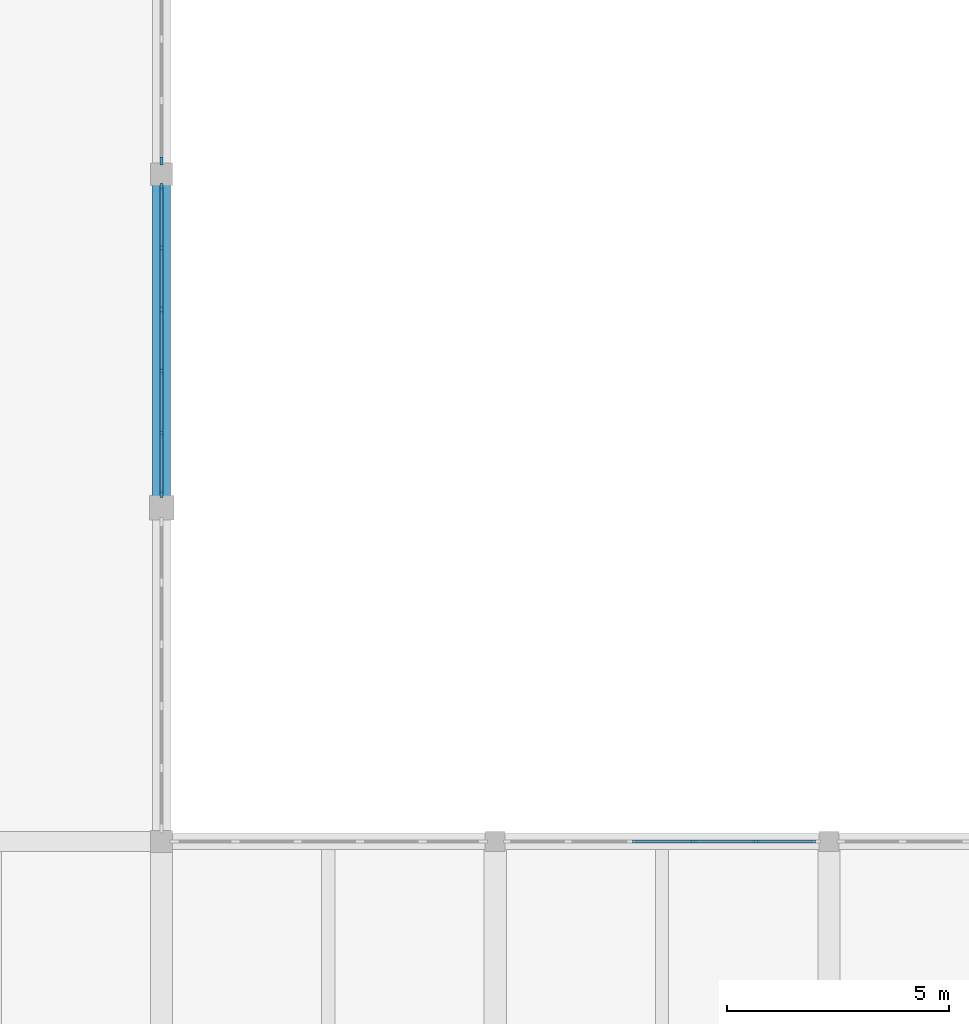
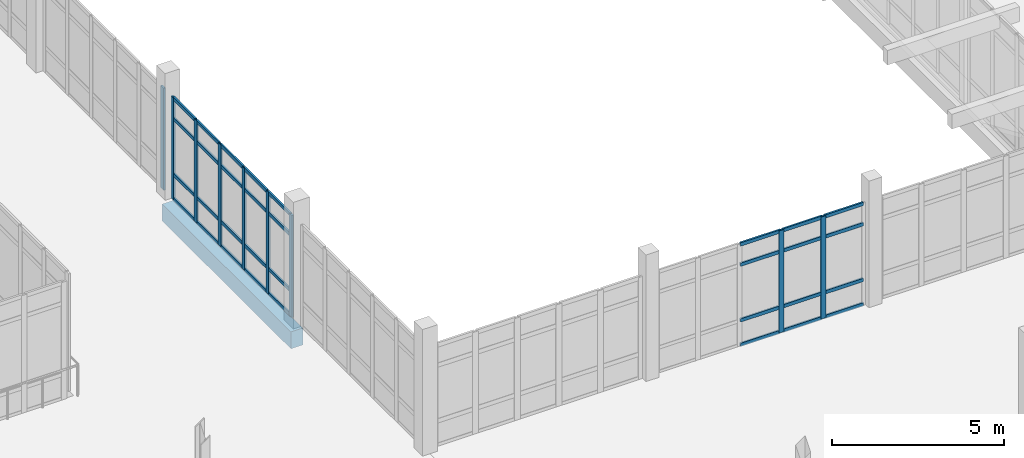
# One storey, part 40 of 128: 41 members, 1 beam, 3 elements without a shape of their own.
"""IFC4 building model written with IfcOpenShell, lengths in metres."""

from ifc_helpers import new_model, si_unit, direction, frame, origin, origin_2d, place, context, subcontext, project, spatial, rectangle, extrude, material, layer, layer_set, material_profile, profile_set, type_object, element, aggregate, save


model = new_model("IFC4")

# Units and contexts
model_context = context("Model", 3, precision=1e-05, world=origin(), true_north=direction((0.0, 1.0)))
body_context = subcontext(model_context, "Body", "Model", "MODEL_VIEW")
ifc_project = project(units=[si_unit("LENGTHUNIT", "METRE"), si_unit("AREAUNIT", "SQUARE_METRE"), si_unit("VOLUMEUNIT", "CUBIC_METRE"), si_unit("PLANEANGLEUNIT", "RADIAN"), si_unit("MASSUNIT", "GRAM", prefix="KILO")], contexts=[model_context])

# Site, building, storey
site_placement = place(None, origin())
site = spatial("IfcSite", under=ifc_project, at=site_placement, CompositionType="ELEMENT")
building_placement = place(site_placement, origin())
building = spatial("IfcBuilding", under=site, at=building_placement, Name="Dalvernix Boulevard General Hospital", CompositionType="ELEMENT")
storey_placement = place(building_placement, frame((0.0, 0.0, 4.800048828125)))
storey = spatial("IfcBuildingStorey", under=building, at=storey_placement, Name="L01", CompositionType="ELEMENT", Elevation=4.800048828125)

# Beam
ifc_material_1 = material(Name="Concrete C35/45", Category="concrete")
ifc_material_profile_1 = material_profile(ifc_material_1, rectangle(XDim=0.39990234375, YDim=0.60009765625, at=origin_2d()), Name="RCB 400x600")
ifc_profile_set_1 = profile_set([ifc_material_profile_1], Name="Concrete C35/45")
beam_type = type_object("IfcBeamType", Name="BM-SB-02-E", PredefinedType="SPANDREL", material=ifc_profile_set_1)
beam_placement = place(storey_placement, frame((112.5, 39.0, -0.60009765625), z_axis=(0.0, 1.0, 0.0), x_axis=(-1.0, 0.0, 0.0)))
element("IfcBeam", 1, at=beam_placement, inside=storey, type_object=beam_type, Name="L01 N-S girder 16:F-G", PredefinedType="SPANDREL", context=body_context, shape_type="SweptSolid", body=[
    extrude(rectangle(XDim=0.39990234375, YDim=0.60009765625, at=origin_2d()), origin(), (0.0, 0.0, 1.0), 7.5),
])

# Curtain wall, members
ifc_material_2 = material(Name="Thermally broken aluminium and solar-control glass curtain wall", Category="aluminium")
ifc_layer_1 = layer(ifc_material_2, 0.159912109375)
ifc_layer_set_1 = layer_set([ifc_layer_1], Name="Thermally broken aluminium and solar-control glass curtain wall (CW-CW-A-70x36)")
curtain_wall_type_1 = type_object("IfcCurtainWallType", Name="CW-CW-A-70x36", PredefinedType="USERDEFINED", material=ifc_layer_set_1)
curtain_wall_1_placement = place(storey_placement, origin())
curtain_wall_1 = element("IfcCurtainWall", 2, at=curtain_wall_1_placement, inside=storey, type_object=curtain_wall_type_1, Name="L01 curtain wall CW-A-70x36 15-5", ObjectType="GLAZED FACADE", PredefinedType="USERDEFINED")
ifc_material_3 = material(Name="Aluminium EN AW-6060", Category="aluminium")
ifc_material_profile_2 = material_profile(ifc_material_3, rectangle(XDim=0.06005859375, YDim=0.159912109375, at=origin_2d()), Name="ALU MULL 60x160")
ifc_profile_set_2 = profile_set([ifc_material_profile_2], Name="Aluminium EN AW-6060")
member_type_1 = type_object("IfcMemberType", Name="MEM-CW-M1", PredefinedType="MULLION", material=ifc_profile_set_2)
member_1_placement = place(storey_placement, frame((112.5, 46.2099609375, 0.0), z_axis=(0.0, 0.0, 1.0), x_axis=(1.0, 0.0, 0.0)))
member_1 = element("IfcMember", 3, at=member_1_placement, type_object=member_type_1, Name="CW-A-70x36 mullion 1", PredefinedType="MULLION", context=body_context, shape_type="SweptSolid", body=[
    extrude(rectangle(XDim=0.06005859375, YDim=0.159912109375, at=origin_2d()), origin(), (0.0, 0.0, 1.0), 3.6298828125),
])
member_2_placement = place(storey_placement, frame((112.5, 44.84912109375, 0.0), z_axis=(0.0, 0.0, 1.0), x_axis=(1.0, 0.0, 0.0)))
member_2 = element("IfcMember", 4, at=member_2_placement, type_object=member_type_1, Name="CW-A-70x36 mullion 2", PredefinedType="MULLION", context=body_context, shape_type="SweptSolid", body=[
    extrude(rectangle(XDim=0.06005859375, YDim=0.159912109375, at=origin_2d()), origin(), (0.0, 0.0, 1.0), 3.6298828125),
])
member_3_placement = place(storey_placement, frame((112.5, 43.4580078125, 0.0), z_axis=(0.0, 0.0, 1.0), x_axis=(1.0, 0.0, 0.0)))
member_3 = element("IfcMember", 5, at=member_3_placement, type_object=member_type_1, Name="CW-A-70x36 mullion 3", PredefinedType="MULLION", context=body_context, shape_type="SweptSolid", body=[
    extrude(rectangle(XDim=0.06005859375, YDim=0.159912109375, at=origin_2d()), origin(), (0.0, 0.0, 1.0), 3.6298828125),
])
member_4_placement = place(storey_placement, frame((112.5, 42.06689453125, 0.0), z_axis=(0.0, 0.0, 1.0), x_axis=(1.0, 0.0, 0.0)))
member_4 = element("IfcMember", 6, at=member_4_placement, type_object=member_type_1, Name="CW-A-70x36 mullion 4", PredefinedType="MULLION", context=body_context, shape_type="SweptSolid", body=[
    extrude(rectangle(XDim=0.06005859375, YDim=0.159912109375, at=origin_2d()), origin(), (0.0, 0.0, 1.0), 3.6298828125),
])
member_5_placement = place(storey_placement, frame((112.5, 40.676025390625, 0.0), z_axis=(0.0, 0.0, 1.0), x_axis=(1.0, 0.0, 0.0)))
member_5 = element("IfcMember", 7, at=member_5_placement, type_object=member_type_1, Name="CW-A-70x36 mullion 5", PredefinedType="MULLION", context=body_context, shape_type="SweptSolid", body=[
    extrude(rectangle(XDim=0.06005859375, YDim=0.159912109375, at=origin_2d()), origin(), (0.0, 0.0, 1.0), 3.6298828125),
])
member_6_placement = place(storey_placement, frame((112.5, 39.31494140625, 0.0), z_axis=(0.0, 0.0, 1.0), x_axis=(1.0, 0.0, 0.0)))
member_6 = element("IfcMember", 8, at=member_6_placement, type_object=member_type_1, Name="CW-A-70x36 mullion 6", PredefinedType="MULLION", context=body_context, shape_type="SweptSolid", body=[
    extrude(rectangle(XDim=0.06005859375, YDim=0.159912109375, at=origin_2d()), origin(), (0.0, 0.0, 1.0), 3.6298828125),
])

curtain_wall_2_placement = place(storey_placement, origin())
curtain_wall_2 = element("IfcCurtainWall", 9, at=curtain_wall_2_placement, inside=storey, type_object=curtain_wall_type_1, Name="L01 curtain wall CW-A-70x36 16-4", ObjectType="GLAZED FACADE", PredefinedType="USERDEFINED")
member_7_placement = place(storey_placement, frame((124.452880859375, 31.5, 0.0), z_axis=(0.0, 0.0, 1.0), x_axis=(0.0, 1.0, 0.0)))
member_7 = element("IfcMember", 10, at=member_7_placement, type_object=member_type_1, Name="CW-A-70x36 mullion 4", PredefinedType="MULLION", context=body_context, shape_type="SweptSolid", body=[
    extrude(rectangle(XDim=0.06005859375, YDim=0.159912109375, at=origin_2d()), origin(), (0.0, 0.0, 1.0), 3.6298828125),
])
member_8_placement = place(storey_placement, frame((125.85888671875, 31.5, 0.0), z_axis=(0.0, 0.0, 1.0), x_axis=(0.0, 1.0, 0.0)))
member_8 = element("IfcMember", 11, at=member_8_placement, type_object=member_type_1, Name="CW-A-70x36 mullion 5", PredefinedType="MULLION", context=body_context, shape_type="SweptSolid", body=[
    extrude(rectangle(XDim=0.06005859375, YDim=0.159912109375, at=origin_2d()), origin(), (0.0, 0.0, 1.0), 3.6298828125),
])

# Curtain wall, member
ifc_layer_2 = layer(ifc_material_2, 0.179931640625)
ifc_layer_set_2 = layer_set([ifc_layer_2], Name="Thermally broken aluminium and solar-control glass curtain wall (CW-CW-B-70x36)")
curtain_wall_type_2 = type_object("IfcCurtainWallType", Name="CW-CW-B-70x36", PredefinedType="USERDEFINED", material=ifc_layer_set_2)
curtain_wall_3_placement = place(storey_placement, origin())
curtain_wall_3 = element("IfcCurtainWall", 12, at=curtain_wall_3_placement, inside=storey, type_object=curtain_wall_type_2, Name="L01 curtain wall CW-B-70x36 15-6", ObjectType="GLAZED FACADE", PredefinedType="USERDEFINED")
ifc_material_profile_3 = material_profile(ifc_material_3, rectangle(XDim=0.06494140625, YDim=0.179931640625, at=origin_2d()), Name="ALU MULL 65x180")
ifc_profile_set_3 = profile_set([ifc_material_profile_3], Name="Aluminium EN AW-6060")
member_type_2 = type_object("IfcMemberType", Name="MEM-CW-M2", PredefinedType="MULLION", material=ifc_profile_set_3)
member_9_placement = place(storey_placement, frame((112.5, 46.79248046875, 0.0), z_axis=(0.0, 0.0, 1.0), x_axis=(1.0, 0.0, 0.0)))
member_9 = element("IfcMember", 13, at=member_9_placement, type_object=member_type_2, Name="CW-B-70x36 mullion 6", PredefinedType="MULLION", context=body_context, shape_type="SweptSolid", body=[
    extrude(rectangle(XDim=0.06494140625, YDim=0.179931640625, at=origin_2d()), origin(), (0.0, 0.0, 1.0), 3.6298828125),
])
aggregate(curtain_wall_3, [member_9])

# Member
ifc_material_profile_4 = material_profile(ifc_material_3, rectangle(XDim=0.06005859375, YDim=0.1201171875, at=origin_2d()), Name="ALU TRAN 60x120")
ifc_profile_set_4 = profile_set([ifc_material_profile_4], Name="Aluminium EN AW-6060")
member_type_3 = type_object("IfcMemberType", Name="MEM-CW-T1", PredefinedType="USERDEFINED", material=ifc_profile_set_4)
member_10_placement = place(storey_placement, frame((112.5, 46.179931640625, 0.030029296875), z_axis=(0.0, -1.0, 0.0), x_axis=(1.0, 0.0, 0.0)))
member_10 = element("IfcMember", 14, at=member_10_placement, type_object=member_type_3, Name="CW-A-70x36 transom 1.1", ObjectType="TRANSOM", PredefinedType="USERDEFINED", context=body_context, shape_type="SweptSolid", body=[
    extrude(rectangle(XDim=0.06005859375, YDim=0.1201171875, at=origin_2d()), origin(), (0.0, 0.0, 1.0), 1.301025390625),
])

member_11_placement = place(storey_placement, frame((112.5, 46.179931640625, 0.89990234375), z_axis=(0.0, -1.0, 0.0), x_axis=(1.0, 0.0, 0.0)))
member_11 = element("IfcMember", 15, at=member_11_placement, type_object=member_type_3, Name="CW-A-70x36 transom 1.2", ObjectType="TRANSOM", PredefinedType="USERDEFINED", context=body_context, shape_type="SweptSolid", body=[
    extrude(rectangle(XDim=0.06005859375, YDim=0.1201171875, at=origin_2d()), origin(), (0.0, 0.0, 1.0), 1.301025390625),
])

member_12_placement = place(storey_placement, frame((112.5, 46.179931640625, 2.8798828125), z_axis=(0.0, -1.0, 0.0), x_axis=(1.0, 0.0, 0.0)))
member_12 = element("IfcMember", 16, at=member_12_placement, type_object=member_type_3, Name="CW-A-70x36 transom 1.3", ObjectType="TRANSOM", PredefinedType="USERDEFINED", context=body_context, shape_type="SweptSolid", body=[
    extrude(rectangle(XDim=0.06005859375, YDim=0.1201171875, at=origin_2d()), origin(), (0.0, 0.0, 1.0), 1.301025390625),
])

member_13_placement = place(storey_placement, frame((112.5, 46.179931640625, 3.599853515625), z_axis=(0.0, -1.0, 0.0), x_axis=(1.0, 0.0, 0.0)))
member_13 = element("IfcMember", 17, at=member_13_placement, type_object=member_type_3, Name="CW-A-70x36 transom 1.4", ObjectType="TRANSOM", PredefinedType="USERDEFINED", context=body_context, shape_type="SweptSolid", body=[
    extrude(rectangle(XDim=0.06005859375, YDim=0.1201171875, at=origin_2d()), origin(), (0.0, 0.0, 1.0), 1.301025390625),
])

member_14_placement = place(storey_placement, frame((112.5, 44.819091796875, 0.030029296875), z_axis=(0.0, -1.0, 0.0), x_axis=(1.0, 0.0, 0.0)))
member_14 = element("IfcMember", 18, at=member_14_placement, type_object=member_type_3, Name="CW-A-70x36 transom 2.1", ObjectType="TRANSOM", PredefinedType="USERDEFINED", context=body_context, shape_type="SweptSolid", body=[
    extrude(rectangle(XDim=0.06005859375, YDim=0.1201171875, at=origin_2d()), origin(), (0.0, 0.0, 1.0), 1.3310546875),
])

member_15_placement = place(storey_placement, frame((112.5, 44.819091796875, 0.89990234375), z_axis=(0.0, -1.0, 0.0), x_axis=(1.0, 0.0, 0.0)))
member_15 = element("IfcMember", 19, at=member_15_placement, type_object=member_type_3, Name="CW-A-70x36 transom 2.2", ObjectType="TRANSOM", PredefinedType="USERDEFINED", context=body_context, shape_type="SweptSolid", body=[
    extrude(rectangle(XDim=0.06005859375, YDim=0.1201171875, at=origin_2d()), origin(), (0.0, 0.0, 1.0), 1.3310546875),
])

member_16_placement = place(storey_placement, frame((112.5, 44.819091796875, 2.8798828125), z_axis=(0.0, -1.0, 0.0), x_axis=(1.0, 0.0, 0.0)))
member_16 = element("IfcMember", 20, at=member_16_placement, type_object=member_type_3, Name="CW-A-70x36 transom 2.3", ObjectType="TRANSOM", PredefinedType="USERDEFINED", context=body_context, shape_type="SweptSolid", body=[
    extrude(rectangle(XDim=0.06005859375, YDim=0.1201171875, at=origin_2d()), origin(), (0.0, 0.0, 1.0), 1.3310546875),
])

member_17_placement = place(storey_placement, frame((112.5, 44.819091796875, 3.599853515625), z_axis=(0.0, -1.0, 0.0), x_axis=(1.0, 0.0, 0.0)))
member_17 = element("IfcMember", 21, at=member_17_placement, type_object=member_type_3, Name="CW-A-70x36 transom 2.4", ObjectType="TRANSOM", PredefinedType="USERDEFINED", context=body_context, shape_type="SweptSolid", body=[
    extrude(rectangle(XDim=0.06005859375, YDim=0.1201171875, at=origin_2d()), origin(), (0.0, 0.0, 1.0), 1.3310546875),
])

member_18_placement = place(storey_placement, frame((112.5, 43.427978515625, 0.030029296875), z_axis=(0.0, -1.0, 0.0), x_axis=(1.0, 0.0, 0.0)))
member_18 = element("IfcMember", 22, at=member_18_placement, type_object=member_type_3, Name="CW-A-70x36 transom 3.1", ObjectType="TRANSOM", PredefinedType="USERDEFINED", context=body_context, shape_type="SweptSolid", body=[
    extrude(rectangle(XDim=0.06005859375, YDim=0.1201171875, at=origin_2d()), origin(), (0.0, 0.0, 1.0), 1.3310546875),
])

member_19_placement = place(storey_placement, frame((112.5, 43.427978515625, 0.89990234375), z_axis=(0.0, -1.0, 0.0), x_axis=(1.0, 0.0, 0.0)))
member_19 = element("IfcMember", 23, at=member_19_placement, type_object=member_type_3, Name="CW-A-70x36 transom 3.2", ObjectType="TRANSOM", PredefinedType="USERDEFINED", context=body_context, shape_type="SweptSolid", body=[
    extrude(rectangle(XDim=0.06005859375, YDim=0.1201171875, at=origin_2d()), origin(), (0.0, 0.0, 1.0), 1.3310546875),
])

member_20_placement = place(storey_placement, frame((112.5, 43.427978515625, 2.8798828125), z_axis=(0.0, -1.0, 0.0), x_axis=(1.0, 0.0, 0.0)))
member_20 = element("IfcMember", 24, at=member_20_placement, type_object=member_type_3, Name="CW-A-70x36 transom 3.3", ObjectType="TRANSOM", PredefinedType="USERDEFINED", context=body_context, shape_type="SweptSolid", body=[
    extrude(rectangle(XDim=0.06005859375, YDim=0.1201171875, at=origin_2d()), origin(), (0.0, 0.0, 1.0), 1.3310546875),
])

member_21_placement = place(storey_placement, frame((112.5, 43.427978515625, 3.599853515625), z_axis=(0.0, -1.0, 0.0), x_axis=(1.0, 0.0, 0.0)))
member_21 = element("IfcMember", 25, at=member_21_placement, type_object=member_type_3, Name="CW-A-70x36 transom 3.4", ObjectType="TRANSOM", PredefinedType="USERDEFINED", context=body_context, shape_type="SweptSolid", body=[
    extrude(rectangle(XDim=0.06005859375, YDim=0.1201171875, at=origin_2d()), origin(), (0.0, 0.0, 1.0), 1.3310546875),
])

member_22_placement = place(storey_placement, frame((112.5, 42.037109375, 0.030029296875), z_axis=(0.0, -1.0, 0.0), x_axis=(1.0, 0.0, 0.0)))
member_22 = element("IfcMember", 26, at=member_22_placement, type_object=member_type_3, Name="CW-A-70x36 transom 4.1", ObjectType="TRANSOM", PredefinedType="USERDEFINED", context=body_context, shape_type="SweptSolid", body=[
    extrude(rectangle(XDim=0.06005859375, YDim=0.1201171875, at=origin_2d()), origin(), (0.0, 0.0, 1.0), 1.3310546875),
])

member_23_placement = place(storey_placement, frame((112.5, 42.037109375, 0.89990234375), z_axis=(0.0, -1.0, 0.0), x_axis=(1.0, 0.0, 0.0)))
member_23 = element("IfcMember", 27, at=member_23_placement, type_object=member_type_3, Name="CW-A-70x36 transom 4.2", ObjectType="TRANSOM", PredefinedType="USERDEFINED", context=body_context, shape_type="SweptSolid", body=[
    extrude(rectangle(XDim=0.06005859375, YDim=0.1201171875, at=origin_2d()), origin(), (0.0, 0.0, 1.0), 1.3310546875),
])

member_24_placement = place(storey_placement, frame((112.5, 42.037109375, 2.8798828125), z_axis=(0.0, -1.0, 0.0), x_axis=(1.0, 0.0, 0.0)))
member_24 = element("IfcMember", 28, at=member_24_placement, type_object=member_type_3, Name="CW-A-70x36 transom 4.3", ObjectType="TRANSOM", PredefinedType="USERDEFINED", context=body_context, shape_type="SweptSolid", body=[
    extrude(rectangle(XDim=0.06005859375, YDim=0.1201171875, at=origin_2d()), origin(), (0.0, 0.0, 1.0), 1.3310546875),
])

member_25_placement = place(storey_placement, frame((112.5, 42.037109375, 3.599853515625), z_axis=(0.0, -1.0, 0.0), x_axis=(1.0, 0.0, 0.0)))
member_25 = element("IfcMember", 29, at=member_25_placement, type_object=member_type_3, Name="CW-A-70x36 transom 4.4", ObjectType="TRANSOM", PredefinedType="USERDEFINED", context=body_context, shape_type="SweptSolid", body=[
    extrude(rectangle(XDim=0.06005859375, YDim=0.1201171875, at=origin_2d()), origin(), (0.0, 0.0, 1.0), 1.3310546875),
])

member_26_placement = place(storey_placement, frame((112.5, 40.64599609375, 0.030029296875), z_axis=(0.0, -1.0, 0.0), x_axis=(1.0, 0.0, 0.0)))
member_26 = element("IfcMember", 30, at=member_26_placement, type_object=member_type_3, Name="CW-A-70x36 transom 5.1", ObjectType="TRANSOM", PredefinedType="USERDEFINED", context=body_context, shape_type="SweptSolid", body=[
    extrude(rectangle(XDim=0.06005859375, YDim=0.1201171875, at=origin_2d()), origin(), (0.0, 0.0, 1.0), 1.301025390625),
])

member_27_placement = place(storey_placement, frame((112.5, 40.64599609375, 0.89990234375), z_axis=(0.0, -1.0, 0.0), x_axis=(1.0, 0.0, 0.0)))
member_27 = element("IfcMember", 31, at=member_27_placement, type_object=member_type_3, Name="CW-A-70x36 transom 5.2", ObjectType="TRANSOM", PredefinedType="USERDEFINED", context=body_context, shape_type="SweptSolid", body=[
    extrude(rectangle(XDim=0.06005859375, YDim=0.1201171875, at=origin_2d()), origin(), (0.0, 0.0, 1.0), 1.301025390625),
])

member_28_placement = place(storey_placement, frame((112.5, 40.64599609375, 2.8798828125), z_axis=(0.0, -1.0, 0.0), x_axis=(1.0, 0.0, 0.0)))
member_28 = element("IfcMember", 32, at=member_28_placement, type_object=member_type_3, Name="CW-A-70x36 transom 5.3", ObjectType="TRANSOM", PredefinedType="USERDEFINED", context=body_context, shape_type="SweptSolid", body=[
    extrude(rectangle(XDim=0.06005859375, YDim=0.1201171875, at=origin_2d()), origin(), (0.0, 0.0, 1.0), 1.301025390625),
])

member_29_placement = place(storey_placement, frame((112.5, 40.64599609375, 3.599853515625), z_axis=(0.0, -1.0, 0.0), x_axis=(1.0, 0.0, 0.0)))
member_29 = element("IfcMember", 33, at=member_29_placement, type_object=member_type_3, Name="CW-A-70x36 transom 5.4", ObjectType="TRANSOM", PredefinedType="USERDEFINED", context=body_context, shape_type="SweptSolid", body=[
    extrude(rectangle(XDim=0.06005859375, YDim=0.1201171875, at=origin_2d()), origin(), (0.0, 0.0, 1.0), 1.301025390625),
])

aggregate(curtain_wall_1, [member_1, member_2, member_3, member_4, member_5, member_6, member_10, member_11, member_12, member_13, member_14, member_15, member_16, member_17, member_18, member_19, member_20, member_21, member_22, member_23, member_24, member_25, member_26, member_27, member_28, member_29])

member_30_placement = place(storey_placement, frame((123.076904296875, 31.5, 0.030029296875), z_axis=(1.0, 0.0, 0.0), x_axis=(0.0, 1.0, 0.0)))
member_30 = element("IfcMember", 34, at=member_30_placement, type_object=member_type_3, Name="CW-A-70x36 transom 3.1", ObjectType="TRANSOM", PredefinedType="USERDEFINED", context=body_context, shape_type="SweptSolid", body=[
    extrude(rectangle(XDim=0.06005859375, YDim=0.1201171875, at=origin_2d()), origin(), (0.0, 0.0, 1.0), 1.34619140625),
])

member_31_placement = place(storey_placement, frame((123.076904296875, 31.5, 0.89990234375), z_axis=(1.0, 0.0, 0.0), x_axis=(0.0, 1.0, 0.0)))
member_31 = element("IfcMember", 35, at=member_31_placement, type_object=member_type_3, Name="CW-A-70x36 transom 3.2", ObjectType="TRANSOM", PredefinedType="USERDEFINED", context=body_context, shape_type="SweptSolid", body=[
    extrude(rectangle(XDim=0.06005859375, YDim=0.1201171875, at=origin_2d()), origin(), (0.0, 0.0, 1.0), 1.34619140625),
])

member_32_placement = place(storey_placement, frame((123.076904296875, 31.5, 2.8798828125), z_axis=(1.0, 0.0, 0.0), x_axis=(0.0, 1.0, 0.0)))
member_32 = element("IfcMember", 36, at=member_32_placement, type_object=member_type_3, Name="CW-A-70x36 transom 3.3", ObjectType="TRANSOM", PredefinedType="USERDEFINED", context=body_context, shape_type="SweptSolid", body=[
    extrude(rectangle(XDim=0.06005859375, YDim=0.1201171875, at=origin_2d()), origin(), (0.0, 0.0, 1.0), 1.34619140625),
])

member_33_placement = place(storey_placement, frame((123.076904296875, 31.5, 3.599853515625), z_axis=(1.0, 0.0, 0.0), x_axis=(0.0, 1.0, 0.0)))
member_33 = element("IfcMember", 37, at=member_33_placement, type_object=member_type_3, Name="CW-A-70x36 transom 3.4", ObjectType="TRANSOM", PredefinedType="USERDEFINED", context=body_context, shape_type="SweptSolid", body=[
    extrude(rectangle(XDim=0.06005859375, YDim=0.1201171875, at=origin_2d()), origin(), (0.0, 0.0, 1.0), 1.34619140625),
])

member_34_placement = place(storey_placement, frame((124.48291015625, 31.5, 0.030029296875), z_axis=(1.0, 0.0, 0.0), x_axis=(0.0, 1.0, 0.0)))
member_34 = element("IfcMember", 38, at=member_34_placement, type_object=member_type_3, Name="CW-A-70x36 transom 4.1", ObjectType="TRANSOM", PredefinedType="USERDEFINED", context=body_context, shape_type="SweptSolid", body=[
    extrude(rectangle(XDim=0.06005859375, YDim=0.1201171875, at=origin_2d()), origin(), (0.0, 0.0, 1.0), 1.34619140625),
])

member_35_placement = place(storey_placement, frame((124.48291015625, 31.5, 0.89990234375), z_axis=(1.0, 0.0, 0.0), x_axis=(0.0, 1.0, 0.0)))
member_35 = element("IfcMember", 39, at=member_35_placement, type_object=member_type_3, Name="CW-A-70x36 transom 4.2", ObjectType="TRANSOM", PredefinedType="USERDEFINED", context=body_context, shape_type="SweptSolid", body=[
    extrude(rectangle(XDim=0.06005859375, YDim=0.1201171875, at=origin_2d()), origin(), (0.0, 0.0, 1.0), 1.34619140625),
])

member_36_placement = place(storey_placement, frame((124.48291015625, 31.5, 2.8798828125), z_axis=(1.0, 0.0, 0.0), x_axis=(0.0, 1.0, 0.0)))
member_36 = element("IfcMember", 40, at=member_36_placement, type_object=member_type_3, Name="CW-A-70x36 transom 4.3", ObjectType="TRANSOM", PredefinedType="USERDEFINED", context=body_context, shape_type="SweptSolid", body=[
    extrude(rectangle(XDim=0.06005859375, YDim=0.1201171875, at=origin_2d()), origin(), (0.0, 0.0, 1.0), 1.34619140625),
])

member_37_placement = place(storey_placement, frame((124.48291015625, 31.5, 3.599853515625), z_axis=(1.0, 0.0, 0.0), x_axis=(0.0, 1.0, 0.0)))
member_37 = element("IfcMember", 41, at=member_37_placement, type_object=member_type_3, Name="CW-A-70x36 transom 4.4", ObjectType="TRANSOM", PredefinedType="USERDEFINED", context=body_context, shape_type="SweptSolid", body=[
    extrude(rectangle(XDim=0.06005859375, YDim=0.1201171875, at=origin_2d()), origin(), (0.0, 0.0, 1.0), 1.34619140625),
])

member_38_placement = place(storey_placement, frame((125.888916015625, 31.5, 0.030029296875), z_axis=(1.0, 0.0, 0.0), x_axis=(0.0, 1.0, 0.0)))
member_38 = element("IfcMember", 42, at=member_38_placement, type_object=member_type_3, Name="CW-A-70x36 transom 5.1", ObjectType="TRANSOM", PredefinedType="USERDEFINED", context=body_context, shape_type="SweptSolid", body=[
    extrude(rectangle(XDim=0.06005859375, YDim=0.1201171875, at=origin_2d()), origin(), (0.0, 0.0, 1.0), 1.316162109375),
])

member_39_placement = place(storey_placement, frame((125.888916015625, 31.5, 0.89990234375), z_axis=(1.0, 0.0, 0.0), x_axis=(0.0, 1.0, 0.0)))
member_39 = element("IfcMember", 43, at=member_39_placement, type_object=member_type_3, Name="CW-A-70x36 transom 5.2", ObjectType="TRANSOM", PredefinedType="USERDEFINED", context=body_context, shape_type="SweptSolid", body=[
    extrude(rectangle(XDim=0.06005859375, YDim=0.1201171875, at=origin_2d()), origin(), (0.0, 0.0, 1.0), 1.316162109375),
])

member_40_placement = place(storey_placement, frame((125.888916015625, 31.5, 2.8798828125), z_axis=(1.0, 0.0, 0.0), x_axis=(0.0, 1.0, 0.0)))
member_40 = element("IfcMember", 44, at=member_40_placement, type_object=member_type_3, Name="CW-A-70x36 transom 5.3", ObjectType="TRANSOM", PredefinedType="USERDEFINED", context=body_context, shape_type="SweptSolid", body=[
    extrude(rectangle(XDim=0.06005859375, YDim=0.1201171875, at=origin_2d()), origin(), (0.0, 0.0, 1.0), 1.316162109375),
])

member_41_placement = place(storey_placement, frame((125.888916015625, 31.5, 3.599853515625), z_axis=(1.0, 0.0, 0.0), x_axis=(0.0, 1.0, 0.0)))
member_41 = element("IfcMember", 45, at=member_41_placement, type_object=member_type_3, Name="CW-A-70x36 transom 5.4", ObjectType="TRANSOM", PredefinedType="USERDEFINED", context=body_context, shape_type="SweptSolid", body=[
    extrude(rectangle(XDim=0.06005859375, YDim=0.1201171875, at=origin_2d()), origin(), (0.0, 0.0, 1.0), 1.316162109375),
])

aggregate(curtain_wall_2, [member_7, member_8, member_30, member_31, member_32, member_33, member_34, member_35, member_36, member_37, member_38, member_39, member_40, member_41])

save(model, "model.ifc")
